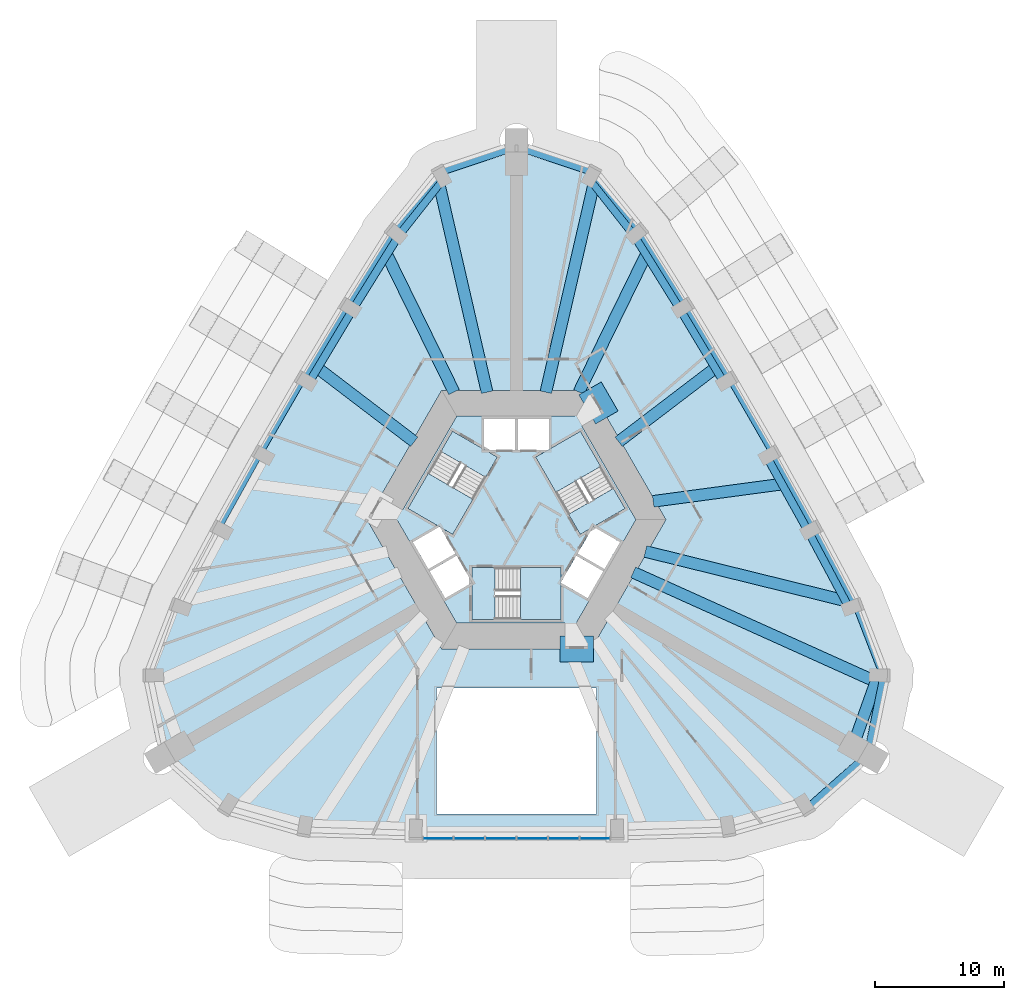
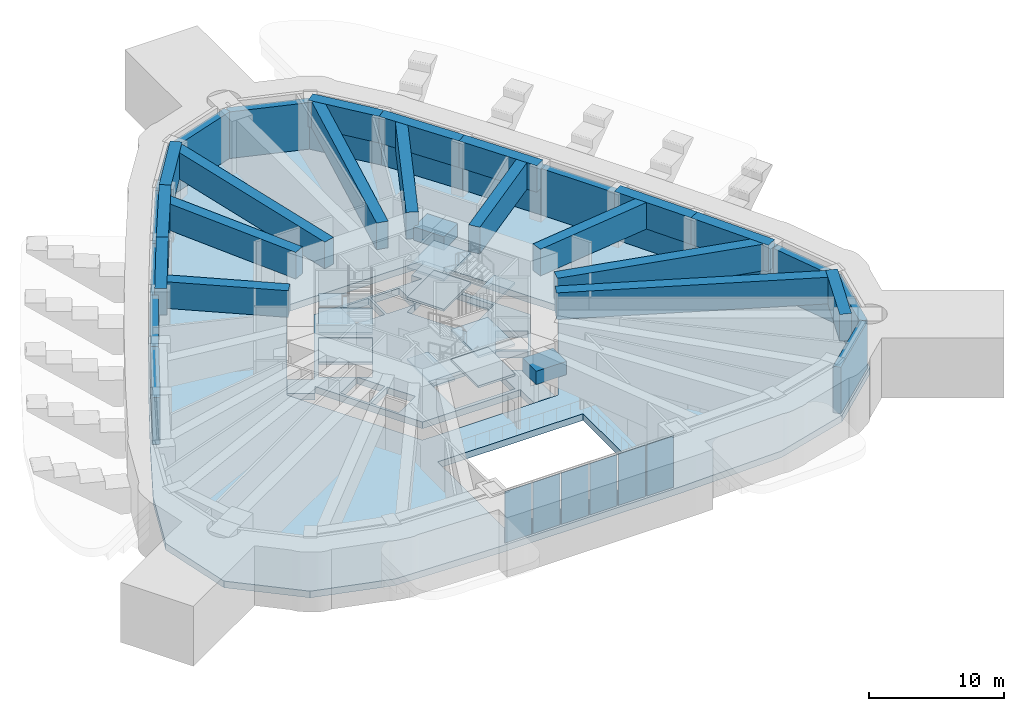
# One storey, part 3 of 16: 20 beams, 16 members, 11 slabs, 6 plates, 4 elements without a shape of their own.
"""IFC4 building model written with IfcOpenShell, lengths in metres."""

from ifc_helpers import new_model, si_unit, direction, frame, origin, origin_2d, place, context, subcontext, project, spatial, polyline, rectangle, outline, extrude, material, layer, layer_set, material_profile, profile_set, type_object, element, aggregate, save


model = new_model("IFC4")

# Units and contexts
model_context = context("Model", 3, precision=1e-05, world=origin(), true_north=direction((0.0, 1.0)))
body_context = subcontext(model_context, "Body", "Model", "MODEL_VIEW")
ifc_project = project(units=[si_unit("LENGTHUNIT", "METRE"), si_unit("AREAUNIT", "SQUARE_METRE"), si_unit("VOLUMEUNIT", "CUBIC_METRE"), si_unit("PLANEANGLEUNIT", "RADIAN"), si_unit("MASSUNIT", "GRAM", prefix="KILO")], contexts=[model_context])

# Site, building, storey
site_placement = place(None, origin())
site = spatial("IfcSite", under=ifc_project, at=site_placement, CompositionType="ELEMENT")
building_placement = place(site_placement, origin())
building = spatial("IfcBuilding", under=site, at=building_placement, Name="Entoto Arch Interchange Tower", CompositionType="ELEMENT")
storey_placement = place(building_placement, frame((0.0, 0.0, 281.0)))
storey = spatial("IfcBuildingStorey", under=building, at=storey_placement, Name="L65", CompositionType="ELEMENT", Elevation=281.0)

# Members
ifc_material_1 = material(Name="Concrete C40/50", Category="concrete")
ifc_material_profile_1 = material_profile(ifc_material_1, rectangle(XDim=0.60009765625, YDim=4.199951171875, at=origin_2d()))
ifc_profile_set_1 = profile_set([ifc_material_profile_1], Name="Concrete C40/50")
member_type = type_object("IfcMemberType", Name="Belt member RC 600x4200 C40/50", PredefinedType="USERDEFINED", material=ifc_profile_set_1)
member_1_placement = place(storey_placement, frame((22.48095703125, -19.824951171875, 2.10009765625), z_axis=(0.747956669932, 0.663747557362, 0.0), x_axis=(-0.663747557362, 0.747956669932, 0.0)))
element("IfcMember", 1, at=member_1_placement, inside=storey, type_object=member_type, Name="Belt beam 05 L65", ObjectType="BELT BEAM", PredefinedType="USERDEFINED", context=body_context, shape_type="SweptSolid", body=[
    extrude(rectangle(XDim=0.60009765625, YDim=4.199951171875, at=origin_2d()), origin(), (0.0, 0.0, 1.0), 6.247802734375),
])
member_2_placement = place(storey_placement, frame((27.154052734375, -15.677978515625, 2.10009765625), z_axis=(0.200816651334, 0.979628844281, 0.0), x_axis=(-0.979628844281, 0.200816651334, 0.0)))
element("IfcMember", 2, at=member_2_placement, inside=storey, type_object=member_type, Name="Belt beam 06 L65", ObjectType="BELT BEAM", PredefinedType="USERDEFINED", context=body_context, shape_type="SweptSolid", body=[
    extrude(rectangle(XDim=0.60009765625, YDim=4.199951171875, at=origin_2d()), origin(), (0.0, 0.0, 1.0), 6.2197265625),
])
member_3_placement = place(storey_placement, frame((28.403076171875, -9.5849609375, 2.10009765625), z_axis=(-0.360182624804, 0.932881812873, 0.0), x_axis=(-0.932881812873, -0.360182624804, 0.0)))
element("IfcMember", 3, at=member_3_placement, inside=storey, type_object=member_type, Name="Belt beam 07 L65", ObjectType="BELT BEAM", PredefinedType="USERDEFINED", context=body_context, shape_type="SweptSolid", body=[
    extrude(rectangle(XDim=0.60009765625, YDim=4.199951171875, at=origin_2d()), origin(), (0.0, 0.0, 1.0), 5.81640625),
])
member_4_placement = place(storey_placement, frame((26.30810546875, -4.158935546875, 2.10009765625), z_axis=(-0.470861099696, 0.882207359294, 0.0), x_axis=(-0.882207359294, -0.470861099696, 0.0)))
element("IfcMember", 4, at=member_4_placement, inside=storey, type_object=member_type, Name="Belt beam 08 L65", ObjectType="BELT BEAM", PredefinedType="USERDEFINED", context=body_context, shape_type="SweptSolid", body=[
    extrude(rectangle(XDim=0.60009765625, YDim=4.199951171875, at=origin_2d()), origin(), (0.0, 0.0, 1.0), 6.825927734375),
])
member_5_placement = place(storey_placement, frame((23.093994140625, 1.863037109375, 2.10009765625), z_axis=(-0.485570946111, 0.874197263947, 0.0), x_axis=(-0.874197263947, -0.485570946111, 0.0)))
element("IfcMember", 5, at=member_5_placement, inside=storey, type_object=member_type, Name="Belt beam 09 L65", ObjectType="BELT BEAM", PredefinedType="USERDEFINED", context=body_context, shape_type="SweptSolid", body=[
    extrude(rectangle(XDim=0.60009765625, YDim=4.199951171875, at=origin_2d()), origin(), (0.0, 0.0, 1.0), 6.623291015625),
])
member_6_placement = place(storey_placement, frame((19.8779296875, 7.653076171875, 2.10009765625), z_axis=(-0.500111757231, 0.865960871102, 0.0), x_axis=(-0.865960871102, -0.500111757231, 0.0)))
element("IfcMember", 6, at=member_6_placement, inside=storey, type_object=member_type, Name="Belt beam 10 L65", ObjectType="BELT BEAM", PredefinedType="USERDEFINED", context=body_context, shape_type="SweptSolid", body=[
    extrude(rectangle(XDim=0.60009765625, YDim=4.199951171875, at=origin_2d()), origin(), (0.0, 0.0, 1.0), 6.62255859375),
])
member_7_placement = place(storey_placement, frame((16.56591796875, 13.387939453125, 2.10009765625), z_axis=(-0.514197612997, 0.857671740696, 0.0), x_axis=(-0.857671740696, -0.514197612997, 0.0)))
element("IfcMember", 7, at=member_7_placement, inside=storey, type_object=member_type, Name="Belt beam 11 L65", ObjectType="BELT BEAM", PredefinedType="USERDEFINED", context=body_context, shape_type="SweptSolid", body=[
    extrude(rectangle(XDim=0.60009765625, YDim=4.199951171875, at=origin_2d()), origin(), (0.0, 0.0, 1.0), 6.6240234375),
])
member_8_placement = place(storey_placement, frame((13.159912109375, 19.069091796875, 2.10009765625), z_axis=(-0.528596386962, 0.84887328836, 0.0), x_axis=(-0.84887328836, -0.528596386962, 0.0)))
element("IfcMember", 8, at=member_8_placement, inside=storey, type_object=member_type, Name="Belt beam 12 L65", ObjectType="BELT BEAM", PredefinedType="USERDEFINED", context=body_context, shape_type="SweptSolid", body=[
    extrude(rectangle(XDim=0.60009765625, YDim=4.199951171875, at=origin_2d()), origin(), (0.0, 0.0, 1.0), 6.825439453125),
])
member_9_placement = place(storey_placement, frame((9.552001953125, 24.863037109375, 2.10009765625), z_axis=(-0.627797579001, 0.77837664392, 0.0), x_axis=(-0.77837664392, -0.627797579001, 0.0)))
element("IfcMember", 9, at=member_9_placement, inside=storey, type_object=member_type, Name="Belt beam 13 L65", ObjectType="BELT BEAM", PredefinedType="USERDEFINED", context=body_context, shape_type="SweptSolid", body=[
    extrude(rectangle(XDim=0.60009765625, YDim=4.199951171875, at=origin_2d()), origin(), (0.0, 0.0, 1.0), 5.815673828125),
])
for number, where, z_axis, x_axis, name in (
    (10, (5.90087890625, 29.389892578125, 2.10009765625), (-0.948773544001, 0.315956899283, 0.0), (-0.315956899283, -0.948773544001, 0.0), "Belt beam 14 L65"),
    (11, (0.0, 31.35498046875, 2.10009765625), (-0.948773544001, -0.315956899283, 0.0), (0.315956899283, -0.948773544001, 0.0), "Belt beam 15 L65"),
):
    element("IfcMember", number, at=place(storey_placement, frame(where, z_axis=z_axis, x_axis=x_axis)), inside=storey, type_object=member_type, Name=name, ObjectType="BELT BEAM", PredefinedType="USERDEFINED", context=body_context, shape_type="SweptSolid", body=[
        extrude(rectangle(XDim=0.60009765625, YDim=4.199951171875, at=origin_2d()), origin(), (0.0, 0.0, 1.0), 6.219482421875),
    ])
member_10_placement = place(storey_placement, frame((-5.90087890625, 29.389892578125, 2.10009765625), z_axis=(-0.627797579001, -0.77837664392, 0.0), x_axis=(0.77837664392, -0.627797579001, 0.0)))
element("IfcMember", 12, at=member_10_placement, inside=storey, type_object=member_type, Name="Belt beam 16 L65", ObjectType="BELT BEAM", PredefinedType="USERDEFINED", context=body_context, shape_type="SweptSolid", body=[
    extrude(rectangle(XDim=0.60009765625, YDim=4.199951171875, at=origin_2d()), origin(), (0.0, 0.0, 1.0), 5.815673828125),
])
member_11_placement = place(storey_placement, frame((-9.552001953125, 24.863037109375, 2.10009765625), z_axis=(-0.528596386962, -0.84887328836, 0.0), x_axis=(0.84887328836, -0.528596386962, 0.0)))
element("IfcMember", 13, at=member_11_placement, inside=storey, type_object=member_type, Name="Belt beam 17 L65", ObjectType="BELT BEAM", PredefinedType="USERDEFINED", context=body_context, shape_type="SweptSolid", body=[
    extrude(rectangle(XDim=0.60009765625, YDim=4.199951171875, at=origin_2d()), origin(), (0.0, 0.0, 1.0), 6.825439453125),
])
member_12_placement = place(storey_placement, frame((-13.159912109375, 19.069091796875, 2.10009765625), z_axis=(-0.514197612997, -0.857671740696, 0.0), x_axis=(0.857671740696, -0.514197612997, 0.0)))
element("IfcMember", 14, at=member_12_placement, inside=storey, type_object=member_type, Name="Belt beam 18 L65", ObjectType="BELT BEAM", PredefinedType="USERDEFINED", context=body_context, shape_type="SweptSolid", body=[
    extrude(rectangle(XDim=0.60009765625, YDim=4.199951171875, at=origin_2d()), origin(), (0.0, 0.0, 1.0), 6.6240234375),
])
member_13_placement = place(storey_placement, frame((-16.56591796875, 13.387939453125, 2.10009765625), z_axis=(-0.500111757231, -0.865960871102, 0.0), x_axis=(0.865960871102, -0.500111757231, 0.0)))
element("IfcMember", 15, at=member_13_placement, inside=storey, type_object=member_type, Name="Belt beam 19 L65", ObjectType="BELT BEAM", PredefinedType="USERDEFINED", context=body_context, shape_type="SweptSolid", body=[
    extrude(rectangle(XDim=0.60009765625, YDim=4.199951171875, at=origin_2d()), origin(), (0.0, 0.0, 1.0), 6.62255859375),
])
member_14_placement = place(storey_placement, frame((-19.8779296875, 7.653076171875, 2.10009765625), z_axis=(-0.485570946111, -0.874197263947, 0.0), x_axis=(0.874197263947, -0.485570946111, 0.0)))
element("IfcMember", 16, at=member_14_placement, inside=storey, type_object=member_type, Name="Belt beam 20 L65", ObjectType="BELT BEAM", PredefinedType="USERDEFINED", context=body_context, shape_type="SweptSolid", body=[
    extrude(rectangle(XDim=0.60009765625, YDim=4.199951171875, at=origin_2d()), origin(), (0.0, 0.0, 1.0), 6.623291015625),
])

# Beams
ifc_material_profile_2 = material_profile(ifc_material_1, rectangle(XDim=2.0, YDim=1.199951171875, at=origin_2d()))
ifc_profile_set_2 = profile_set([ifc_material_profile_2], Name="Concrete C40/50")
beam_type_1 = type_object("IfcBeamType", Name="Coupling beam RC 2000x1200 C40/50", PredefinedType="BEAM", material=ifc_profile_set_2)
beam_1_placement = place(storey_placement, frame((6.986083984375, 10.40087890625, 3.0), z_axis=(-0.500379508478, 0.865806183562, 0.0), x_axis=(-0.865806183562, -0.500379508478, 0.0)))
element("IfcBeam", 17, at=beam_1_placement, inside=storey, type_object=beam_type_1, Name="Coupling beam NE L65", PredefinedType="BEAM", context=body_context, shape_type="SweptSolid", body=[
    extrude(rectangle(XDim=2.0, YDim=1.199951171875, at=origin_2d()), origin(), (0.0, 0.0, 1.0), 2.59423828125),
])
beam_2_placement = place(storey_placement, frame((3.35009765625, -7.5, 3.0), z_axis=(1.0, 0.0, 0.0), x_axis=(0.0, 1.0, 0.0)))
element("IfcBeam", 18, at=beam_2_placement, inside=storey, type_object=beam_type_1, Name="Coupling beam S L65", PredefinedType="BEAM", context=body_context, shape_type="SweptSolid", body=[
    extrude(rectangle(XDim=2.0, YDim=1.199951171875, at=origin_2d()), origin(), (0.0, 0.0, 1.0), 2.593994140625),
])
ifc_material_profile_3 = material_profile(ifc_material_1, rectangle(XDim=0.89990234375, YDim=2.39990234375, at=origin_2d()))
ifc_profile_set_3 = profile_set([ifc_material_profile_3], Name="Concrete C40/50")
beam_type_2 = type_object("IfcBeamType", Name="Transfer beam RC 900x2400 C40/50", PredefinedType="BEAM", material=ifc_profile_set_3)
beam_3_placement = place(storey_placement, frame((9.02587890625, -1.568115234375, 3.60009765625), z_axis=(0.911688647772, -0.410881746398, 0.0), x_axis=(0.410881746398, 0.911688647772, 0.0)))
element("IfcBeam", 19, at=beam_3_placement, inside=storey, type_object=beam_type_2, Name="Transfer beam SE3 L65", PredefinedType="BEAM", context=body_context, shape_type="SweptSolid", body=[
    extrude(rectangle(XDim=0.89990234375, YDim=2.39990234375, at=origin_2d()), origin(), (0.0, 0.0, 1.0), 20.27783203125),
])
beam_4_placement = place(storey_placement, frame((26.0009765625, -15.011962890625, 3.60009765625), z_axis=(0.336959850951, 0.941519016721, 0.0), x_axis=(-0.941519016721, 0.336959850951, 0.0)))
element("IfcBeam", 20, at=beam_4_placement, inside=storey, type_object=beam_type_2, Name="Transfer girder SE3 L65", PredefinedType="BEAM", context=body_context, shape_type="SweptSolid", body=[
    extrude(rectangle(XDim=0.89990234375, YDim=2.39990234375, at=origin_2d()), origin(), (0.0, 0.0, 1.0), 5.828857421875),
])
beam_5_placement = place(storey_placement, frame((9.962890625, 0.0439453125, 3.60009765625), z_axis=(0.970949441802, -0.239284728859, 0.0), x_axis=(0.239284728859, 0.970949441802, 0.0)))
element("IfcBeam", 21, at=beam_5_placement, inside=storey, type_object=beam_type_2, Name="Transfer beam NE01 L65", PredefinedType="BEAM", context=body_context, shape_type="SweptSolid", body=[
    extrude(rectangle(XDim=0.89990234375, YDim=2.39990234375, at=origin_2d()), origin(), (0.0, 0.0, 1.0), 15.82177734375),
])
beam_6_placement = place(storey_placement, frame((25.868896484375, -4.284912109375, 3.60009765625), z_axis=(-0.471868041727, 0.88166918467, 0.0), x_axis=(-0.88166918467, -0.471868041727, 0.0)))
element("IfcBeam", 22, at=beam_6_placement, inside=storey, type_object=beam_type_2, Name="Transfer girder NE01 L65", PredefinedType="BEAM", context=body_context, shape_type="SweptSolid", body=[
    extrude(rectangle(XDim=0.89990234375, YDim=2.39990234375, at=origin_2d()), origin(), (0.0, 0.0, 1.0), 6.730224609375),
])
beam_7_placement = place(storey_placement, frame((10.568115234375, 3.91796875, 3.60009765625), z_axis=(0.991129866052, 0.132896909747, 0.0), x_axis=(-0.132896909747, 0.991129866052, 0.0)))
element("IfcBeam", 23, at=beam_7_placement, inside=storey, type_object=beam_type_2, Name="Transfer beam NE02 L65", PredefinedType="BEAM", context=body_context, shape_type="SweptSolid", body=[
    extrude(rectangle(XDim=0.89990234375, YDim=2.39990234375, at=origin_2d()), origin(), (0.0, 0.0, 1.0), 9.90185546875),
])
beam_8_placement = place(storey_placement, frame((22.693115234375, 1.64892578125, 3.60009765625), z_axis=(-0.485699348441, 0.874125930815, 0.0), x_axis=(-0.874125930815, -0.485699348441, 0.0)))
element("IfcBeam", 24, at=beam_8_placement, inside=storey, type_object=beam_type_2, Name="Transfer girder NE02 L65", PredefinedType="BEAM", context=body_context, shape_type="SweptSolid", body=[
    extrude(rectangle(XDim=0.89990234375, YDim=2.39990234375, at=origin_2d()), origin(), (0.0, 0.0, 1.0), 6.613525390625),
])
beam_9_placement = place(storey_placement, frame((7.89794921875, 8.52392578125, 3.60009765625), z_axis=(0.795161122094, 0.606398210675, 0.0), x_axis=(-0.606398210675, 0.795161122094, 0.0)))
element("IfcBeam", 25, at=beam_9_placement, inside=storey, type_object=beam_type_2, Name="Transfer beam NE03 L65", PredefinedType="BEAM", context=body_context, shape_type="SweptSolid", body=[
    extrude(rectangle(XDim=0.89990234375, YDim=2.39990234375, at=origin_2d()), origin(), (0.0, 0.0, 1.0), 9.23974609375),
])
beam_10_placement = place(storey_placement, frame((16.175048828125, 13.156005859375, 3.60009765625), z_axis=(-0.514273157905, 0.857626444939, 0.0), x_axis=(-0.857626444939, -0.514273157905, 0.0)))
element("IfcBeam", 26, at=beam_10_placement, inside=storey, type_object=beam_type_2, Name="Transfer girder NE03 L65", PredefinedType="BEAM", context=body_context, shape_type="SweptSolid", body=[
    extrude(rectangle(XDim=0.89990234375, YDim=2.39990234375, at=origin_2d()), origin(), (0.0, 0.0, 1.0), 6.613525390625),
])
beam_11_placement = place(storey_placement, frame((4.824951171875, 12.364990234375, 3.60009765625), z_axis=(0.439289124621, 0.898345738004, 0.0), x_axis=(-0.898345738004, 0.439289124621, 0.0)))
element("IfcBeam", 27, at=beam_11_placement, inside=storey, type_object=beam_type_2, Name="Transfer beam NE04 L65", PredefinedType="BEAM", context=body_context, shape_type="SweptSolid", body=[
    extrude(rectangle(XDim=0.89990234375, YDim=2.39990234375, at=origin_2d()), origin(), (0.0, 0.0, 1.0), 11.696044921875),
])
beam_12_placement = place(storey_placement, frame((12.77392578125, 18.827880859375, 3.60009765625), z_axis=(-0.527567803308, 0.849512926866, 0.0), x_axis=(-0.849512926866, -0.527567803308, 0.0)))
element("IfcBeam", 28, at=beam_12_placement, inside=storey, type_object=beam_type_2, Name="Transfer girder NE04 L65", PredefinedType="BEAM", context=body_context, shape_type="SweptSolid", body=[
    extrude(rectangle(XDim=0.89990234375, YDim=2.39990234375, at=origin_2d()), origin(), (0.0, 0.0, 1.0), 6.73095703125),
])
beam_13_placement = place(storey_placement, frame((2.27099609375, 12.35400390625, 3.60009765625), z_axis=(0.224504868713, 0.974472967262, 0.0), x_axis=(-0.974472967262, 0.224504868713, 0.0)))
element("IfcBeam", 29, at=beam_13_placement, inside=storey, type_object=beam_type_2, Name="Transfer beam N1 L65", PredefinedType="BEAM", context=body_context, shape_type="SweptSolid", body=[
    extrude(rectangle(XDim=0.89990234375, YDim=2.39990234375, at=origin_2d()), origin(), (0.0, 0.0, 1.0), 16.391357421875),
])
beam_14_placement = place(storey_placement, frame((9.222900390625, 24.5458984375, 3.60009765625), z_axis=(-0.618295303818, 0.785945874267, 0.0), x_axis=(-0.785945874267, -0.618295303818, 0.0)))
element("IfcBeam", 30, at=beam_14_placement, inside=storey, type_object=beam_type_2, Name="Transfer girder N1 L65", PredefinedType="BEAM", context=body_context, shape_type="SweptSolid", body=[
    extrude(rectangle(XDim=0.89990234375, YDim=2.39990234375, at=origin_2d()), origin(), (0.0, 0.0, 1.0), 5.64306640625),
])
beam_15_placement = place(storey_placement, frame((-2.27099609375, 12.35400390625, 3.60009765625), z_axis=(-0.224504868713, 0.974472967262, 0.0), x_axis=(-0.974472967262, -0.224504868713, 0.0)))
element("IfcBeam", 31, at=beam_15_placement, inside=storey, type_object=beam_type_2, Name="Transfer beam N3 L65", PredefinedType="BEAM", context=body_context, shape_type="SweptSolid", body=[
    extrude(rectangle(XDim=0.89990234375, YDim=2.39990234375, at=origin_2d()), origin(), (0.0, 0.0, 1.0), 16.391357421875),
])
beam_16_placement = place(storey_placement, frame((-5.73388671875, 28.98095703125, 3.60009765625), z_axis=(-0.618295303818, -0.785945874267, 0.0), x_axis=(0.785945874267, -0.618295303818, 0.0)))
element("IfcBeam", 32, at=beam_16_placement, inside=storey, type_object=beam_type_2, Name="Transfer girder N3 L65", PredefinedType="BEAM", context=body_context, shape_type="SweptSolid", body=[
    extrude(rectangle(XDim=0.89990234375, YDim=2.39990234375, at=origin_2d()), origin(), (0.0, 0.0, 1.0), 5.64306640625),
])
beam_17_placement = place(storey_placement, frame((-4.824951171875, 12.364990234375, 3.60009765625), z_axis=(-0.439289124621, 0.898345738004, 0.0), x_axis=(-0.898345738004, -0.439289124621, 0.0)))
element("IfcBeam", 33, at=beam_17_placement, inside=storey, type_object=beam_type_2, Name="Transfer beam NW01 L65", PredefinedType="BEAM", context=body_context, shape_type="SweptSolid", body=[
    extrude(rectangle(XDim=0.89990234375, YDim=2.39990234375, at=origin_2d()), origin(), (0.0, 0.0, 1.0), 11.696044921875),
])
beam_18_placement = place(storey_placement, frame((-9.222900390625, 24.5458984375, 3.60009765625), z_axis=(-0.527567803308, -0.849512926866, 0.0), x_axis=(0.849512926866, -0.527567803308, 0.0)))
element("IfcBeam", 34, at=beam_18_placement, inside=storey, type_object=beam_type_2, Name="Transfer girder NW01 L65", PredefinedType="BEAM", context=body_context, shape_type="SweptSolid", body=[
    extrude(rectangle(XDim=0.89990234375, YDim=2.39990234375, at=origin_2d()), origin(), (0.0, 0.0, 1.0), 6.73095703125),
])
beam_19_placement = place(storey_placement, frame((-7.89794921875, 8.52392578125, 3.60009765625), z_axis=(-0.795161122094, 0.606398210675, 0.0), x_axis=(-0.606398210675, -0.795161122094, 0.0)))
element("IfcBeam", 35, at=beam_19_placement, inside=storey, type_object=beam_type_2, Name="Transfer beam NW02 L65", PredefinedType="BEAM", context=body_context, shape_type="SweptSolid", body=[
    extrude(rectangle(XDim=0.89990234375, YDim=2.39990234375, at=origin_2d()), origin(), (0.0, 0.0, 1.0), 9.23974609375),
])
beam_20_placement = place(storey_placement, frame((-12.77392578125, 18.827880859375, 3.60009765625), z_axis=(-0.514273157905, -0.857626444939, 0.0), x_axis=(0.857626444939, -0.514273157905, 0.0)))
element("IfcBeam", 36, at=beam_20_placement, inside=storey, type_object=beam_type_2, Name="Transfer girder NW02 L65", PredefinedType="BEAM", context=body_context, shape_type="SweptSolid", body=[
    extrude(rectangle(XDim=0.89990234375, YDim=2.39990234375, at=origin_2d()), origin(), (0.0, 0.0, 1.0), 6.613525390625),
])

# Slab
ifc_layer_1 = layer(ifc_material_1, 0.60009765625)
ifc_layer_set_1 = layer_set([ifc_layer_1], Name="Concrete C40/50")
slab_type_1 = type_object("IfcSlabType", Name="Core floor slab 600 C40/50", PredefinedType="FLOOR", material=ifc_layer_set_1)
slab_1_placement = place(storey_placement, frame((0.0, 0.0, -0.60009765625)))
element("IfcSlab", 37, at=slab_1_placement, inside=storey, type_object=slab_type_1, Name="Core floor slab L65", PredefinedType="FLOOR", context=body_context, shape_type="SweptSolid", body=[
    extrude(outline(polyline([(-9.208984375, 2.449951171875), (-9.656982421875, 1.674072265625), (-11.431884765625, 2.698974609375), (-10.535888671875, 4.2529296875), (-8.802978515625, 3.2529296875), (-4.618896484375, 10.5), (4.56103515625, 10.5), (4.113037109375, 11.27587890625), (5.887939453125, 12.301025390625), (6.784912109375, 10.7470703125), (5.053955078125, 9.7470703125), (9.238037109375, 2.5), (4.64794921875, -5.449951171875), (5.5439453125, -5.449951171875), (5.5439453125, -7.5), (3.75, -7.5), (3.75, -5.5), (-4.618896484375, -5.5), (-9.208984375, 2.449951171875)]), holes=[polyline([(-1.64990234375, -5.199951171875), (3.449951171875, -5.199951171875), (3.449951171875, -2.3779296875), (5.5048828125, -3.56494140625), (6.705078125, -1.487060546875), (4.626953125, -0.287109375), (3.449951171875, -2.324951171875), (3.449951171875, -1.199951171875), (-1.64990234375, -1.199951171875), (-1.64990234375, -5.199951171875)]), polyline([(-4.626953125, -0.287109375), (-6.705078125, -1.487060546875), (-5.5048828125, -3.56494140625), (-3.427001953125, -2.364990234375), (-4.626953125, -0.287109375)]), polyline([(-5.904052734375, 1.925048828125), (-4.928955078125, 1.362060546875), (-2.37890625, 5.779052734375), (-5.843017578125, 7.779052734375), (-8.39306640625, 3.362060546875), (-5.949951171875, 1.951904296875), (-8.0048828125, 0.764892578125), (-6.804931640625, -1.31298828125), (-4.72705078125, -0.113037109375), (-5.904052734375, 1.925048828125)]), polyline([(4.72705078125, -0.113037109375), (6.804931640625, -1.31298828125), (8.0048828125, 0.764892578125), (5.927001953125, 1.965087890625), (4.72705078125, -0.113037109375)]), polyline([(2.5, 7.927001953125), (2.5, 10.300048828125), (0.10009765625, 10.300048828125), (0.10009765625, 7.89990234375), (2.452880859375, 7.89990234375), (1.47900390625, 7.337890625), (4.029052734375, 2.9208984375), (7.492919921875, 4.9208984375), (4.943115234375, 9.337890625), (2.5, 7.927001953125)]), polyline([(-2.5, 7.89990234375), (-0.10009765625, 7.89990234375), (-0.10009765625, 10.300048828125), (-2.5, 10.300048828125), (-2.5, 7.89990234375)])]), origin(), (0.0, 0.0, 1.0), 0.60009765625),
])

# Stair, slabs
stair_type = type_object("IfcStairType", Name="EXIT STAIR RC 1800", PredefinedType="HALF_TURN_STAIR", material=ifc_material_1)
stair_1_placement = place(storey_placement, origin())
stair_1 = element("IfcStair", 38, at=stair_1_placement, inside=storey, type_object=stair_type, Name="L65 Exit stair S", PredefinedType="HALF_TURN_STAIR")
ifc_layer_2 = layer(ifc_material_1, 0.199951171875)
ifc_layer_set_2 = layer_set([ifc_layer_2], Name="Concrete C40/50")
slab_type_2 = type_object("IfcSlabType", Name="EXIT STAIR LANDING RC 200", PredefinedType="LANDING", material=ifc_layer_set_2)
slab_2_placement = place(storey_placement, frame((0.0, 0.0, 1.14990234375)))
slab_2 = element("IfcSlab", 39, at=slab_2_placement, type_object=slab_type_2, Name="ST-S landing 1", PredefinedType="LANDING", context=body_context, shape_type="SweptSolid", body=[
    extrude(outline(polyline([(0.31005859375, -5.199951171875), (3.449951171875, -5.199951171875), (3.449951171875, -1.199951171875), (0.31005859375, -1.199951171875), (0.31005859375, -5.199951171875)])), origin(), (0.0, 0.0, 1.0), 0.2001953125),
])
slab_3_placement = place(storey_placement, frame((0.0, 0.0, 2.5)))
slab_3 = element("IfcSlab", 40, at=slab_3_placement, type_object=slab_type_2, Name="ST-S landing 2", PredefinedType="LANDING", context=body_context, shape_type="SweptSolid", body=[
    extrude(outline(polyline([(-3.449951171875, -5.199951171875), (-1.64990234375, -5.199951171875), (-1.64990234375, -1.199951171875), (-3.449951171875, -1.199951171875), (-3.449951171875, -5.199951171875)])), origin(), (0.0, 0.0, 1.0), 0.199951171875),
])
slab_4_placement = place(storey_placement, frame((0.0, 0.0, 3.85009765625)))
slab_4 = element("IfcSlab", 41, at=slab_4_placement, type_object=slab_type_2, Name="ST-S landing 3", PredefinedType="LANDING", context=body_context, shape_type="SweptSolid", body=[
    extrude(outline(polyline([(0.31005859375, -5.199951171875), (3.449951171875, -5.199951171875), (3.449951171875, -1.199951171875), (0.31005859375, -1.199951171875), (0.31005859375, -5.199951171875)])), origin(), (0.0, 0.0, 1.0), 0.199951171875),
])
aggregate(stair_1, [slab_2, slab_3, slab_4])

stair_2_placement = place(storey_placement, origin())
stair_2 = element("IfcStair", 42, at=stair_2_placement, inside=storey, type_object=stair_type, Name="L65 Exit stair NE", PredefinedType="HALF_TURN_STAIR")
slab_5_placement = place(storey_placement, frame((0.0, 0.0, 1.14990234375)))
slab_5 = element("IfcSlab", 43, at=slab_5_placement, type_object=slab_type_2, Name="ST-NE landing 1", PredefinedType="LANDING", context=body_context, shape_type="SweptSolid", body=[
    extrude(outline(polyline([(6.513427734375, 6.618408203125), (4.943359375, 9.337890625), (1.479248046875, 7.337890625), (3.04931640625, 4.618408203125), (6.513427734375, 6.618408203125)])), origin(), (0.0, 0.0, 1.0), 0.2001953125),
])
slab_6_placement = place(storey_placement, frame((0.0, 0.0, 2.5)))
slab_6 = element("IfcSlab", 44, at=slab_6_placement, type_object=slab_type_2, Name="ST-NE landing 2", PredefinedType="LANDING", context=body_context, shape_type="SweptSolid", body=[
    extrude(outline(polyline([(8.393310546875, 3.3623046875), (7.493408203125, 4.921142578125), (4.029296875, 2.921142578125), (4.92919921875, 1.3623046875), (8.393310546875, 3.3623046875)])), origin(), (0.0, 0.0, 1.0), 0.199951171875),
])
slab_7_placement = place(storey_placement, frame((0.0, 0.0, 3.85009765625)))
slab_7 = element("IfcSlab", 45, at=slab_7_placement, type_object=slab_type_2, Name="ST-NE landing 3", PredefinedType="LANDING", context=body_context, shape_type="SweptSolid", body=[
    extrude(outline(polyline([(6.513427734375, 6.618408203125), (4.943359375, 9.337890625), (1.479248046875, 7.337890625), (3.04931640625, 4.618408203125), (6.513427734375, 6.618408203125)])), origin(), (0.0, 0.0, 1.0), 0.199951171875),
])
aggregate(stair_2, [slab_5, slab_6, slab_7])

stair_3_placement = place(storey_placement, origin())
stair_3 = element("IfcStair", 46, at=stair_3_placement, inside=storey, type_object=stair_type, Name="L65 Exit stair NW", PredefinedType="HALF_TURN_STAIR")
slab_8_placement = place(storey_placement, frame((0.0, 0.0, 1.14990234375)))
slab_8 = element("IfcSlab", 47, at=slab_8_placement, type_object=slab_type_2, Name="ST-NW landing 1", PredefinedType="LANDING", context=body_context, shape_type="SweptSolid", body=[
    extrude(outline(polyline([(-6.823486328125, 6.08154296875), (-8.393310546875, 3.3623046875), (-4.92919921875, 1.3623046875), (-3.359375, 4.08154296875), (-6.823486328125, 6.08154296875)])), origin(), (0.0, 0.0, 1.0), 0.2001953125),
])
slab_9_placement = place(storey_placement, frame((0.0, 0.0, 2.5)))
slab_9 = element("IfcSlab", 48, at=slab_9_placement, type_object=slab_type_2, Name="ST-NW landing 2", PredefinedType="LANDING", context=body_context, shape_type="SweptSolid", body=[
    extrude(outline(polyline([(-4.943359375, 9.337890625), (-5.843505859375, 7.779052734375), (-2.37939453125, 5.779052734375), (-1.479248046875, 7.337890625), (-4.943359375, 9.337890625)])), origin(), (0.0, 0.0, 1.0), 0.199951171875),
])
slab_10_placement = place(storey_placement, frame((0.0, 0.0, 3.85009765625)))
slab_10 = element("IfcSlab", 49, at=slab_10_placement, type_object=slab_type_2, Name="ST-NW landing 3", PredefinedType="LANDING", context=body_context, shape_type="SweptSolid", body=[
    extrude(outline(polyline([(-6.823486328125, 6.08154296875), (-8.393310546875, 3.3623046875), (-4.92919921875, 1.3623046875), (-3.359375, 4.08154296875), (-6.823486328125, 6.08154296875)])), origin(), (0.0, 0.0, 1.0), 0.199951171875),
])
aggregate(stair_3, [slab_8, slab_9, slab_10])

# Curtain wall, plates
ifc_material_2 = material(Name="Aluminium, anodised", Category="aluminium")
curtain_wall_type = type_object("IfcCurtainWallType", Name="CURTAIN WALL ATRIUM", PredefinedType="NOTDEFINED", material=ifc_material_2)
curtain_wall_placement = place(storey_placement, origin())
curtain_wall = element("IfcCurtainWall", 50, at=curtain_wall_placement, inside=storey, type_object=curtain_wall_type, Name="Atrium glazing S-02 L65", PredefinedType="NOTDEFINED")
ifc_material_3 = material(Name="Clear glass, low-e double glazed", Category="glass")
ifc_layer_3 = layer(ifc_material_3, 0.031982421875)
ifc_layer_set_3 = layer_set([ifc_layer_3], Name="Clear glass, low-e double glazed")
plate_type = type_object("IfcPlateType", Name="GLAZING PANEL ATRIUM 32", PredefinedType="CURTAIN_PANEL", material=ifc_layer_set_3)
plate_1_placement = place(storey_placement, frame((-6.0576171875, -22.12890625, 0.080078125), z_axis=(0.0, 0.0, 1.0), x_axis=(1.0, 0.0, 0.0)))
plate_1 = element("IfcPlate", 51, at=plate_1_placement, type_object=plate_type, Name="CWA panel 1.1", PredefinedType="CURTAIN_PANEL", context=body_context, shape_type="SweptSolid", body=[
    extrude(rectangle(XDim=2.282958984375, YDim=0.031982421875, at=origin_2d()), origin(), (0.0, 0.0, 1.0), 4.639892578125),
])
plate_2_placement = place(storey_placement, frame((-3.6494140625, -22.12890625, 0.080078125), z_axis=(0.0, 0.0, 1.0), x_axis=(1.0, 0.0, 0.0)))
plate_2 = element("IfcPlate", 52, at=plate_2_placement, type_object=plate_type, Name="CWA panel 2.1", PredefinedType="CURTAIN_PANEL", context=body_context, shape_type="SweptSolid", body=[
    extrude(rectangle(XDim=2.3330078125, YDim=0.031982421875, at=origin_2d()), origin(), (0.0, 0.0, 1.0), 4.639892578125),
])
plate_3_placement = place(storey_placement, frame((-1.216552734375, -22.12890625, 0.080078125), z_axis=(0.0, 0.0, 1.0), x_axis=(1.0, 0.0, 0.0)))
plate_3 = element("IfcPlate", 53, at=plate_3_placement, type_object=plate_type, Name="CWA panel 3.1", PredefinedType="CURTAIN_PANEL", context=body_context, shape_type="SweptSolid", body=[
    extrude(rectangle(XDim=2.3330078125, YDim=0.031982421875, at=origin_2d()), origin(), (0.0, 0.0, 1.0), 4.639892578125),
])
plate_4_placement = place(storey_placement, frame((1.216552734375, -22.12890625, 0.080078125), z_axis=(0.0, 0.0, 1.0), x_axis=(1.0, 0.0, 0.0)))
plate_4 = element("IfcPlate", 54, at=plate_4_placement, type_object=plate_type, Name="CWA panel 4.1", PredefinedType="CURTAIN_PANEL", context=body_context, shape_type="SweptSolid", body=[
    extrude(rectangle(XDim=2.3330078125, YDim=0.031982421875, at=origin_2d()), origin(), (0.0, 0.0, 1.0), 4.639892578125),
])
plate_5_placement = place(storey_placement, frame((3.6494140625, -22.12890625, 0.080078125), z_axis=(0.0, 0.0, 1.0), x_axis=(1.0, 0.0, 0.0)))
plate_5 = element("IfcPlate", 55, at=plate_5_placement, type_object=plate_type, Name="CWA panel 5.1", PredefinedType="CURTAIN_PANEL", context=body_context, shape_type="SweptSolid", body=[
    extrude(rectangle(XDim=2.3330078125, YDim=0.031982421875, at=origin_2d()), origin(), (0.0, 0.0, 1.0), 4.639892578125),
])
plate_6_placement = place(storey_placement, frame((6.0576171875, -22.12890625, 0.080078125), z_axis=(0.0, 0.0, 1.0), x_axis=(1.0, 0.0, 0.0)))
plate_6 = element("IfcPlate", 56, at=plate_6_placement, type_object=plate_type, Name="CWA panel 6.1", PredefinedType="CURTAIN_PANEL", context=body_context, shape_type="SweptSolid", body=[
    extrude(rectangle(XDim=2.282958984375, YDim=0.031982421875, at=origin_2d()), origin(), (0.0, 0.0, 1.0), 4.639892578125),
])
aggregate(curtain_wall, [plate_1, plate_2, plate_3, plate_4, plate_5, plate_6])

# Slab
ifc_layer_4 = layer(ifc_material_1, 0.60009765625)
ifc_layer_set_4 = layer_set([ifc_layer_4], Name="Concrete C40/50")
slab_type_3 = type_object("IfcSlabType", Name="Transfer floor slab post-tensioned 600 C40/50", PredefinedType="FLOOR", material=ifc_layer_set_4)
slab_11_placement = place(storey_placement, frame((0.0, 0.0, -0.60009765625)))
element("IfcSlab", 57, at=slab_11_placement, inside=storey, type_object=slab_type_3, Name="Floor slab L65", PredefinedType="FLOOR", context=body_context, shape_type="SweptSolid", body=[
    extrude(outline(polyline([(-16.47998046875, -21.990966796875), (-7.800048828125, -22.25390625), (7.800048828125, -22.25390625), (16.47998046875, -21.990966796875), (22.699951171875, -20.22509765625), (27.56005859375, -15.912109375), (28.864990234375, -9.5458984375), (26.712890625, -3.972900390625), (23.485107421875, 2.075927734375), (20.264892578125, 7.8720703125), (16.949951171875, 13.614013671875), (13.5400390625, 19.301025390625), (9.9150390625, 25.12109375), (6.1650390625, 29.77099609375), (0.0, 31.823974609375), (-6.1650390625, 29.77099609375), (-9.9150390625, 25.12109375), (-13.5400390625, 19.301025390625), (-16.949951171875, 13.614013671875), (-20.264892578125, 7.8720703125), (-23.485107421875, 2.075927734375), (-26.712890625, -3.972900390625), (-28.864990234375, -9.5458984375), (-27.56005859375, -15.912109375), (-22.699951171875, -20.22509765625), (-16.47998046875, -21.990966796875)]), holes=[polyline([(6.199951171875, -20.25390625), (6.199951171875, -10.5), (-6.199951171875, -10.5), (-6.199951171875, -20.25390625), (6.199951171875, -20.25390625)]), polyline([(11.547119140625, 2.5), (5.77392578125, 12.5), (-5.77392578125, 12.5), (-11.547119140625, 2.5), (-5.77392578125, -7.5), (5.77392578125, -7.5), (11.547119140625, 2.5)])]), origin(), (0.0, 0.0, 1.0), 0.60009765625),
])

save(model, "model.ifc")
